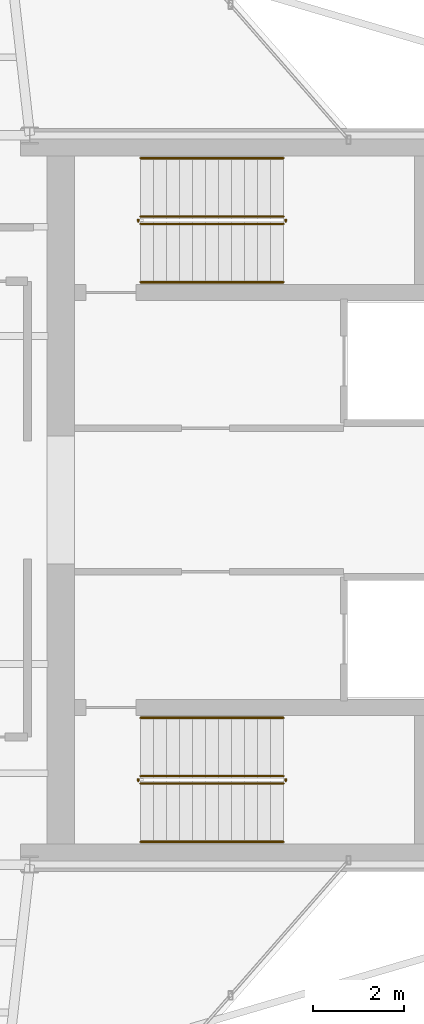
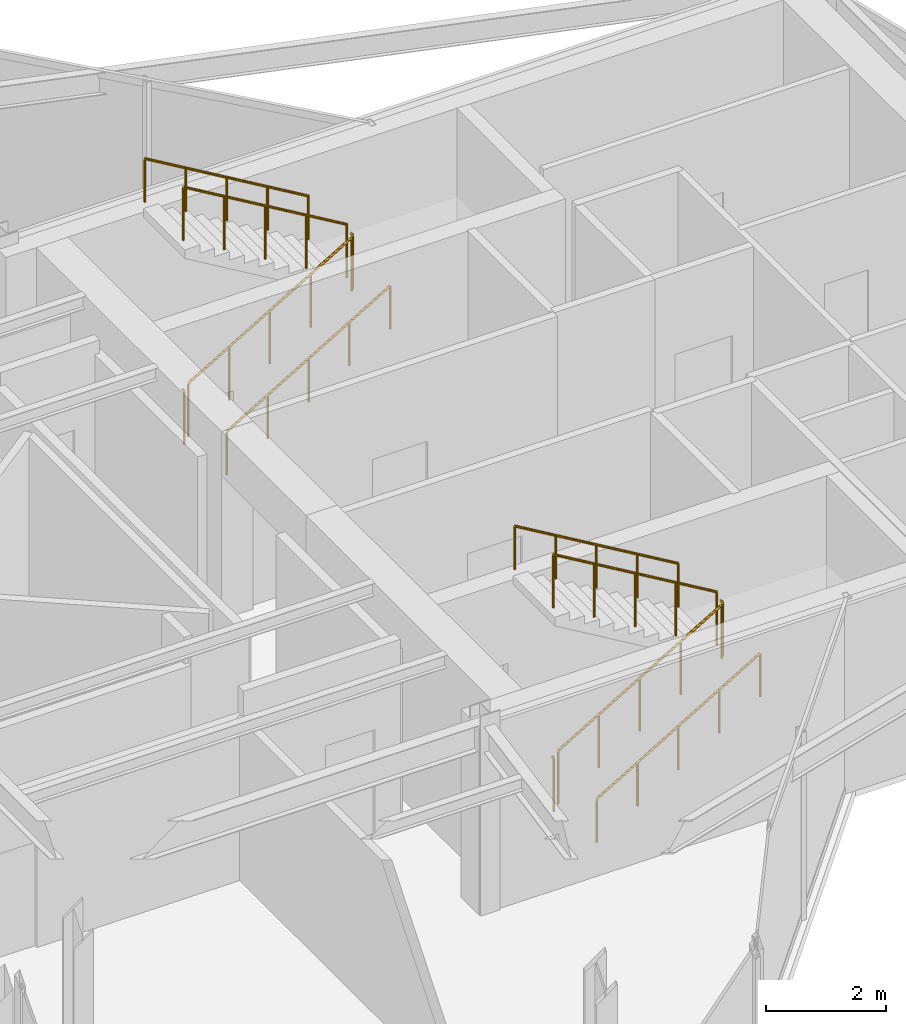
# One storey, part 14 of 14: 12 railings.
"""IFC4 building model written with IfcOpenShell, lengths in metres."""

import ifcopenshell
import ifcopenshell.guid

model = None  # the IFC model being written
_history = None  # IfcOwnerHistory: only IFC2X3 demands one
_inside = {}  # id of a spatial element -> (the spatial element, [elements in it])
_under = {}  # id of a project, library or spatial element -> (it, [spatial elements below it])
_declared = {}  # id of a project -> (the project, [libraries it declares])
_typed = {}  # id of a type object -> (the type object, [elements of that type])
_made_of = {}  # id of a material, layer set ... -> (it, [elements and type objects made of it])


def new_model(schema):
    """Start an empty IFC model of exactly this schema.

    Asked for "IFC4X3", IfcOpenShell would pick the latest addendum, in which some entities
    have other attributes; the version numbers below select the first issue.
    IFC2X3 requires an IfcOwnerHistory on every rooted entity: one is made here for all.
    """
    global model, _history
    if schema == "IFC4X3":
        model = ifcopenshell.file(schema_version=(4, 3, 0, 0))
    else:
        model = ifcopenshell.file(schema=schema)
    _inside.clear()
    _under.clear()
    _declared.clear()
    _typed.clear()
    _made_of.clear()
    _history = None
    if model.schema == "IFC2X3":
        org = make("IfcOrganization", Name="unknown")
        user = make(
            "IfcPersonAndOrganization",
            ThePerson=make("IfcPerson", FamilyName="unknown"),
            TheOrganization=org,
        )
        app = make(
            "IfcApplication",
            ApplicationDeveloper=org,
            Version="unknown",
            ApplicationFullName="unknown",
            ApplicationIdentifier="unknown",
        )
        _history = make(
            "IfcOwnerHistory",
            OwningUser=user,
            OwningApplication=app,
            ChangeAction="ADDED",
            CreationDate=0,
        )
    return model


def make(cls, **values):
    """One entity of the class cls with the attributes given. An attribute that is None is left unset."""
    return model.create_entity(
        cls, **{name: value for name, value in values.items() if value is not None}
    )


def rooted(cls, **values):
    """An entity with a GlobalId (a new one), such as an element, a storey or a relation."""
    return make(cls, GlobalId=ifcopenshell.guid.new(), OwnerHistory=_history, **values)


def si_unit(unit_type, name, prefix=None):
    """IfcSIUnit, for example si_unit("LENGTHUNIT", "METRE", prefix="MILLI")."""
    return make("IfcSIUnit", UnitType=unit_type, Prefix=prefix, Name=name)


def assignment(units):
    """IfcUnitAssignment: the units of a project."""
    return None if units is None else make("IfcUnitAssignment", Units=units)


def point(xyz):
    """IfcCartesianPoint."""
    return None if xyz is None else make("IfcCartesianPoint", Coordinates=xyz)


def direction(xyz):
    """IfcDirection."""
    return None if xyz is None else make("IfcDirection", DirectionRatios=xyz)


def frame(location, z_axis=None, x_axis=None):
    """IfcAxis2Placement3D, a coordinate frame: its origin and axes. An axis left out is left unset."""
    return make(
        "IfcAxis2Placement3D",
        Location=point(location),
        Axis=direction(z_axis),
        RefDirection=direction(x_axis),
    )


def frame_2d(location, x_axis=None):
    """IfcAxis2Placement2D, a coordinate frame in the plane: its origin and x axis."""
    return make(
        "IfcAxis2Placement2D", Location=point(location), RefDirection=direction(x_axis)
    )


def origin():
    """The frame at (0, 0, 0) with its axes left unset."""
    return frame((0.0, 0.0, 0.0))


def origin_2d():
    """The frame at (0, 0) in the plane with its x axis left unset."""
    return frame_2d((0.0, 0.0))


def place(relative_to, where):
    """IfcLocalPlacement: puts the frame where relative to a parent placement (None: the world)."""
    return make(
        "IfcLocalPlacement", PlacementRelTo=relative_to, RelativePlacement=where
    )


def context(
    kind, dimensions, precision=None, world=None, true_north=None, identifier=None
):
    """IfcGeometricRepresentationContext, for example the 3D "Model" context."""
    return make(
        "IfcGeometricRepresentationContext",
        ContextIdentifier=identifier,
        ContextType=kind,
        CoordinateSpaceDimension=dimensions,
        Precision=precision,
        WorldCoordinateSystem=world,
        TrueNorth=true_north,
    )


def subcontext(parent, identifier, kind, view, scale=None):
    """IfcGeometricRepresentationSubContext, for example "Body" below "Model"."""
    return make(
        "IfcGeometricRepresentationSubContext",
        ContextIdentifier=identifier,
        ContextType=kind,
        ParentContext=parent,
        TargetScale=scale,
        TargetView=view,
    )


def project(units=None, contexts=None):
    """IfcProject with its units and contexts."""
    return rooted(
        "IfcProject",
        Name="project",
        RepresentationContexts=contexts,
        UnitsInContext=assignment(units),
    )


def spatial(cls, under=None, at=None, **own):
    """A site, building, storey or space (cls), placed at a placement, below another one or the project."""
    s = rooted(cls, ObjectPlacement=at, **own)
    if under is not None:
        _under.setdefault(under.id(), (under, []))[1].append(s)
    return s


def profile(cls, at=None, kind="AREA", **sizes):
    """A parametric profile (cls). Its sizes go by their IFC names, for example OverallWidth=200.0."""
    return make(cls, ProfileType=kind, Position=at, **sizes)


def circle(**sizes):
    """IfcCircleProfileDef."""
    return profile("IfcCircleProfileDef", **sizes)


def extrude(swept, where, along, depth):
    """IfcExtrudedAreaSolid: the profile swept, set in the frame where, extruded along a direction by depth."""
    return make(
        "IfcExtrudedAreaSolid",
        SweptArea=swept,
        Position=where,
        ExtrudedDirection=direction(along),
        Depth=depth,
    )


def shape(context_of_items, identifier, shape_type, items):
    """IfcShapeRepresentation: the items that make up one representation, for example the "Body"."""
    return make(
        "IfcShapeRepresentation",
        ContextOfItems=context_of_items,
        RepresentationIdentifier=identifier,
        RepresentationType=shape_type,
        Items=items,
    )


def material(Name=None, Category=None):
    """IfcMaterial."""
    return make("IfcMaterial", Name=Name, Category=Category)


def made_of(thing, what):
    """Note that an element or type object is made of a material, layer set ...; save() writes the relation."""
    if what is not None:
        _made_of.setdefault(what.id(), (what, []))[1].append(thing)
    return thing


def type_object(cls, material=None, **own):
    """A type object (cls), such as IfcWallType, which elements share."""
    return made_of(rooted(cls, **own), material)


def element(
    cls,
    number,
    at=None,
    inside=None,
    cuts=None,
    type_object=None,
    material=None,
    context=None,
    identifier="Body",
    shape_type=None,
    held_by="IfcProductDefinitionShape",
    body=None,
    shapes=None,
    **own,
):
    """One element of the class cls, such as IfcWall. Its Tag is "e" and its number.

    at: its placement. inside: the storey or other place that contains it. cuts: it is an
    opening in that element (IfcRelVoidsElement). A single representation is given by context,
    identifier, shape_type and body (its items); several are given by shapes. held_by: the class
    of the entity that holds the representations. save() writes the other relations.
    """
    e = rooted(cls, Tag="e%d" % number, ObjectPlacement=at, **own)
    if body is not None:
        shapes = [shape(context, identifier, shape_type, body)]
    if shapes is not None:
        e.Representation = make(held_by, Representations=shapes)
    if inside is not None:
        _inside.setdefault(inside.id(), (inside, []))[1].append(e)
    if cuts is not None:
        rooted(
            "IfcRelVoidsElement", RelatingBuildingElement=cuts, RelatedOpeningElement=e
        )
    if type_object is not None:
        _typed.setdefault(type_object.id(), (type_object, []))[1].append(e)
    return made_of(e, material)


def aggregate(whole, parts):
    """IfcRelAggregates: a whole, such as a stair, and the parts it consists of."""
    return rooted("IfcRelAggregates", RelatingObject=whole, RelatedObjects=parts)


def save(model, path):
    """Write the relations noted so far, then the file.

    IfcRelAggregates (storeys below a building ...), IfcRelContainedInSpatialStructure (elements
    in a storey), IfcRelDefinesByType, IfcRelAssociatesMaterial and IfcRelDeclares: one each for
    every whole, place, type object, material and project.
    """
    for whole, parts in _under.values():
        aggregate(whole, parts)
    for where, things in _inside.values():
        rooted(
            "IfcRelContainedInSpatialStructure",
            RelatedElements=things,
            RelatingStructure=where,
        )
    for kind, things in _typed.values():
        rooted("IfcRelDefinesByType", RelatedObjects=things, RelatingType=kind)
    for what, things in _made_of.values():
        rooted("IfcRelAssociatesMaterial", RelatedObjects=things, RelatingMaterial=what)
    for by, libraries in _declared.values():
        rooted("IfcRelDeclares", RelatingContext=by, RelatedDefinitions=libraries)
    model.write(path)


model = new_model("IFC4")

# Units and contexts
model_context = context("Model", 3, precision=1e-05, world=origin(), true_north=direction((0.0, 1.0)))
body_context = subcontext(model_context, "Body", "Model", "MODEL_VIEW")
ifc_project = project(units=[si_unit("LENGTHUNIT", "METRE"), si_unit("AREAUNIT", "SQUARE_METRE"), si_unit("VOLUMEUNIT", "CUBIC_METRE"), si_unit("PLANEANGLEUNIT", "RADIAN"), si_unit("MASSUNIT", "GRAM", prefix="KILO")], contexts=[model_context])

# Site, building, storey
site_placement = place(None, origin())
site = spatial("IfcSite", under=ifc_project, at=site_placement, CompositionType="ELEMENT")
building_placement = place(site_placement, origin())
building = spatial("IfcBuilding", under=site, at=building_placement, Name="Veymaron Broadcast Tower", CompositionType="ELEMENT")
storey_placement = place(building_placement, frame((0.0, 0.0, 270.89990234375)))
storey = spatial("IfcBuildingStorey", under=building, at=storey_placement, Name="L63", CompositionType="ELEMENT", Elevation=270.89990234375)

# Railings
ifc_material_1 = material(Name="Brushed stainless steel AISI 304", Category="steel")
railing_type_1 = type_object("IfcRailingType", Name="RAIL-STAIR-HR", PredefinedType="HANDRAIL", material=ifc_material_1)
railing_1_placement = place(storey_placement, frame((41.429931640625, 28.780029296875, 0.1689453125)))
element("IfcRailing", 1, at=railing_1_placement, inside=storey, type_object=railing_type_1, Name="L63 ST1 stair handrail 1", PredefinedType="HANDRAIL", context=body_context, shape_type="SweptSolid", body=[
    extrude(circle(Radius=0.02392578125, at=origin_2d()), frame((0.0, 0.0, 0.8759765625), z_axis=(0.860481960309, 0.0, 0.509480908359), x_axis=(0.0, 1.0, 0.0)), (0.0, 0.0, 1.0), 3.643310546875),
    extrude(circle(Radius=0.02099609375, at=origin_2d()), origin(), (0.0, 0.0, 1.0), 0.851806640625),
    extrude(circle(Radius=0.02099609375, at=origin_2d()), frame((0.78369140625, 0.0, 0.464111328125)), (0.0, 0.0, 1.0), 0.851806640625),
    extrude(circle(Radius=0.02099609375, at=origin_2d()), frame((1.5673828125, 0.0, 0.92822265625)), (0.0, 0.0, 1.0), 0.851806640625),
    extrude(circle(Radius=0.02099609375, at=origin_2d()), frame((2.351318359375, 0.0, 1.39208984375)), (0.0, 0.0, 1.0), 0.851806640625),
    extrude(circle(Radius=0.02099609375, at=origin_2d()), frame((3.135009765625, 0.0, 1.856201171875)), (0.0, 0.0, 1.0), 0.851806640625),
])
railing_2_placement = place(storey_placement, frame((44.56494140625, 31.5, 2.19384765625)))
element("IfcRailing", 2, at=railing_2_placement, inside=storey, type_object=railing_type_1, Name="L63 ST1 stair handrail 2", PredefinedType="HANDRAIL", context=body_context, shape_type="SweptSolid", body=[
    extrude(circle(Radius=0.02392578125, at=origin_2d()), frame((0.0, 0.0, 0.8759765625), z_axis=(-0.860481960309, 0.0, 0.509480908359), x_axis=(0.0, -1.0, 0.0)), (0.0, 0.0, 1.0), 3.643310546875),
    extrude(circle(Radius=0.02099609375, at=origin_2d()), origin(), (0.0, 0.0, 1.0), 0.851806640625),
    extrude(circle(Radius=0.02099609375, at=origin_2d()), frame((-0.78369140625, 0.0, 0.464111328125)), (0.0, 0.0, 1.0), 0.851806640625),
    extrude(circle(Radius=0.02099609375, at=origin_2d()), frame((-1.5673828125, 0.0, 0.92822265625)), (0.0, 0.0, 1.0), 0.851806640625),
    extrude(circle(Radius=0.02099609375, at=origin_2d()), frame((-2.351318359375, 0.0, 1.39208984375)), (0.0, 0.0, 1.0), 0.851806640625),
    extrude(circle(Radius=0.02099609375, at=origin_2d()), frame((-3.135009765625, 0.0, 1.856201171875)), (0.0, 0.0, 1.0), 0.851806640625),
])
railing_3_placement = place(storey_placement, frame((41.429931640625, 16.5, 0.1689453125)))
element("IfcRailing", 3, at=railing_3_placement, inside=storey, type_object=railing_type_1, Name="L63 ST2 stair handrail 1", PredefinedType="HANDRAIL", context=body_context, shape_type="SweptSolid", body=[
    extrude(circle(Radius=0.02392578125, at=origin_2d()), frame((0.0, 0.0, 0.8759765625), z_axis=(0.860481960309, 0.0, 0.509480908359), x_axis=(0.0, 1.0, 0.0)), (0.0, 0.0, 1.0), 3.643310546875),
    extrude(circle(Radius=0.02099609375, at=origin_2d()), origin(), (0.0, 0.0, 1.0), 0.851806640625),
    extrude(circle(Radius=0.02099609375, at=origin_2d()), frame((0.78369140625, 0.0, 0.464111328125)), (0.0, 0.0, 1.0), 0.851806640625),
    extrude(circle(Radius=0.02099609375, at=origin_2d()), frame((1.5673828125, 0.0, 0.92822265625)), (0.0, 0.0, 1.0), 0.851806640625),
    extrude(circle(Radius=0.02099609375, at=origin_2d()), frame((2.351318359375, 0.0, 1.39208984375)), (0.0, 0.0, 1.0), 0.851806640625),
    extrude(circle(Radius=0.02099609375, at=origin_2d()), frame((3.135009765625, 0.0, 1.856201171875)), (0.0, 0.0, 1.0), 0.851806640625),
])
railing_4_placement = place(storey_placement, frame((44.56494140625, 19.219970703125, 2.19384765625)))
element("IfcRailing", 4, at=railing_4_placement, inside=storey, type_object=railing_type_1, Name="L63 ST2 stair handrail 2", PredefinedType="HANDRAIL", context=body_context, shape_type="SweptSolid", body=[
    extrude(circle(Radius=0.02392578125, at=origin_2d()), frame((0.0, 0.0, 0.8759765625), z_axis=(-0.860481960309, 0.0, 0.509480908359), x_axis=(0.0, -1.0, 0.0)), (0.0, 0.0, 1.0), 3.643310546875),
    extrude(circle(Radius=0.02099609375, at=origin_2d()), origin(), (0.0, 0.0, 1.0), 0.851806640625),
    extrude(circle(Radius=0.02099609375, at=origin_2d()), frame((-0.78369140625, 0.0, 0.464111328125)), (0.0, 0.0, 1.0), 0.851806640625),
    extrude(circle(Radius=0.02099609375, at=origin_2d()), frame((-1.5673828125, 0.0, 0.92822265625)), (0.0, 0.0, 1.0), 0.851806640625),
    extrude(circle(Radius=0.02099609375, at=origin_2d()), frame((-2.351318359375, 0.0, 1.39208984375)), (0.0, 0.0, 1.0), 0.851806640625),
    extrude(circle(Radius=0.02099609375, at=origin_2d()), frame((-3.135009765625, 0.0, 1.856201171875)), (0.0, 0.0, 1.0), 0.851806640625),
])
ifc_material_2 = material(Name="Painted galvanized steel balustrade", Category="steel")
railing_type_2 = type_object("IfcRailingType", Name="RAIL-WELL-GRD", PredefinedType="GUARDRAIL", material=ifc_material_2)
railing_5_placement = place(storey_placement, frame((41.429931640625, 30.06005859375, 0.1689453125)))
element("IfcRailing", 5, at=railing_5_placement, inside=storey, type_object=railing_type_2, Name="L63 ST1 stair guard 1", PredefinedType="GUARDRAIL", context=body_context, shape_type="SweptSolid", body=[
    extrude(circle(Radius=0.02392578125, at=origin_2d()), frame((0.0, 0.0, 1.076171875), z_axis=(0.860481960309, 0.0, 0.509480908359), x_axis=(0.0, 1.0, 0.0)), (0.0, 0.0, 1.0), 3.643310546875),
    extrude(circle(Radius=0.02099609375, at=origin_2d()), origin(), (0.0, 0.0, 1.0), 1.052001953125),
    extrude(circle(Radius=0.02099609375, at=origin_2d()), frame((0.78369140625, 0.0, 0.464111328125)), (0.0, 0.0, 1.0), 1.052001953125),
    extrude(circle(Radius=0.02099609375, at=origin_2d()), frame((1.5673828125, 0.0, 0.92822265625)), (0.0, 0.0, 1.0), 1.052001953125),
    extrude(circle(Radius=0.02099609375, at=origin_2d()), frame((2.351318359375, 0.0, 1.39208984375)), (0.0, 0.0, 1.0), 1.052001953125),
    extrude(circle(Radius=0.02099609375, at=origin_2d()), frame((3.135009765625, 0.0, 1.856201171875)), (0.0, 0.0, 1.0), 1.052001953125),
])
railing_6_placement = place(storey_placement, frame((44.614990234375, 30.110107421875, 2.025146484375)))
element("IfcRailing", 6, at=railing_6_placement, inside=storey, type_object=railing_type_2, Name="L63 ST1 stair guard 2", PredefinedType="GUARDRAIL", context=body_context, shape_type="SweptSolid", body=[
    extrude(circle(Radius=0.02392578125, at=origin_2d()), frame((0.0, 0.0, 1.076171875), z_axis=(0.0, 1.0, 0.0), x_axis=(-1.0, 0.0, 0.0)), (0.0, 0.0, 1.0), 0.059814453125),
    extrude(circle(Radius=0.02099609375, at=origin_2d()), origin(), (0.0, 0.0, 1.0), 1.052001953125),
])
railing_7_placement = place(storey_placement, frame((44.56494140625, 30.219970703125, 2.19384765625)))
element("IfcRailing", 7, at=railing_7_placement, inside=storey, type_object=railing_type_2, Name="L63 ST1 stair guard 3", PredefinedType="GUARDRAIL", context=body_context, shape_type="SweptSolid", body=[
    extrude(circle(Radius=0.02392578125, at=origin_2d()), frame((0.0, 0.0, 1.076171875), z_axis=(-0.860481960309, 0.0, 0.509480908359), x_axis=(0.0, -1.0, 0.0)), (0.0, 0.0, 1.0), 3.643310546875),
    extrude(circle(Radius=0.02099609375, at=origin_2d()), origin(), (0.0, 0.0, 1.0), 1.052001953125),
    extrude(circle(Radius=0.02099609375, at=origin_2d()), frame((-0.78369140625, 0.0, 0.464111328125)), (0.0, 0.0, 1.0), 1.052001953125),
    extrude(circle(Radius=0.02099609375, at=origin_2d()), frame((-1.5673828125, 0.0, 0.92822265625)), (0.0, 0.0, 1.0), 1.052001953125),
    extrude(circle(Radius=0.02099609375, at=origin_2d()), frame((-2.351318359375, 0.0, 1.39208984375)), (0.0, 0.0, 1.0), 1.052001953125),
    extrude(circle(Radius=0.02099609375, at=origin_2d()), frame((-3.135009765625, 0.0, 1.856201171875)), (0.0, 0.0, 1.0), 1.052001953125),
])
railing_8_placement = place(storey_placement, frame((41.3798828125, 30.110107421875, 0.0)))
element("IfcRailing", 8, at=railing_8_placement, inside=storey, type_object=railing_type_2, Name="L63 ST1 stair guard 4", PredefinedType="GUARDRAIL", context=body_context, shape_type="SweptSolid", body=[
    extrude(circle(Radius=0.02392578125, at=origin_2d()), frame((0.0, 0.0, 1.076171875), z_axis=(0.0, 1.0, 0.0), x_axis=(-1.0, 0.0, 0.0)), (0.0, 0.0, 1.0), 0.059814453125),
    extrude(circle(Radius=0.02099609375, at=origin_2d()), origin(), (0.0, 0.0, 1.0), 1.052001953125),
])
railing_9_placement = place(storey_placement, frame((41.429931640625, 17.780029296875, 0.1689453125)))
element("IfcRailing", 9, at=railing_9_placement, inside=storey, type_object=railing_type_2, Name="L63 ST2 stair guard 1", PredefinedType="GUARDRAIL", context=body_context, shape_type="SweptSolid", body=[
    extrude(circle(Radius=0.02392578125, at=origin_2d()), frame((0.0, 0.0, 1.076171875), z_axis=(0.860481960309, 0.0, 0.509480908359), x_axis=(0.0, 1.0, 0.0)), (0.0, 0.0, 1.0), 3.643310546875),
    extrude(circle(Radius=0.02099609375, at=origin_2d()), origin(), (0.0, 0.0, 1.0), 1.052001953125),
    extrude(circle(Radius=0.02099609375, at=origin_2d()), frame((0.78369140625, 0.0, 0.464111328125)), (0.0, 0.0, 1.0), 1.052001953125),
    extrude(circle(Radius=0.02099609375, at=origin_2d()), frame((1.5673828125, 0.0, 0.92822265625)), (0.0, 0.0, 1.0), 1.052001953125),
    extrude(circle(Radius=0.02099609375, at=origin_2d()), frame((2.351318359375, 0.0, 1.39208984375)), (0.0, 0.0, 1.0), 1.052001953125),
    extrude(circle(Radius=0.02099609375, at=origin_2d()), frame((3.135009765625, 0.0, 1.856201171875)), (0.0, 0.0, 1.0), 1.052001953125),
])
railing_10_placement = place(storey_placement, frame((44.614990234375, 17.830078125, 2.025146484375)))
element("IfcRailing", 10, at=railing_10_placement, inside=storey, type_object=railing_type_2, Name="L63 ST2 stair guard 2", PredefinedType="GUARDRAIL", context=body_context, shape_type="SweptSolid", body=[
    extrude(circle(Radius=0.02392578125, at=origin_2d()), frame((0.0, 0.0, 1.076171875), z_axis=(0.0, 1.0, 0.0), x_axis=(-1.0, 0.0, 0.0)), (0.0, 0.0, 1.0), 0.059814453125),
    extrude(circle(Radius=0.02099609375, at=origin_2d()), origin(), (0.0, 0.0, 1.0), 1.052001953125),
])
railing_11_placement = place(storey_placement, frame((44.56494140625, 17.93994140625, 2.19384765625)))
element("IfcRailing", 11, at=railing_11_placement, inside=storey, type_object=railing_type_2, Name="L63 ST2 stair guard 3", PredefinedType="GUARDRAIL", context=body_context, shape_type="SweptSolid", body=[
    extrude(circle(Radius=0.02392578125, at=origin_2d()), frame((0.0, 0.0, 1.076171875), z_axis=(-0.860481960309, 0.0, 0.509480908359), x_axis=(0.0, -1.0, 0.0)), (0.0, 0.0, 1.0), 3.643310546875),
    extrude(circle(Radius=0.02099609375, at=origin_2d()), origin(), (0.0, 0.0, 1.0), 1.052001953125),
    extrude(circle(Radius=0.02099609375, at=origin_2d()), frame((-0.78369140625, 0.0, 0.464111328125)), (0.0, 0.0, 1.0), 1.052001953125),
    extrude(circle(Radius=0.02099609375, at=origin_2d()), frame((-1.5673828125, 0.0, 0.92822265625)), (0.0, 0.0, 1.0), 1.052001953125),
    extrude(circle(Radius=0.02099609375, at=origin_2d()), frame((-2.351318359375, 0.0, 1.39208984375)), (0.0, 0.0, 1.0), 1.052001953125),
    extrude(circle(Radius=0.02099609375, at=origin_2d()), frame((-3.135009765625, 0.0, 1.856201171875)), (0.0, 0.0, 1.0), 1.052001953125),
])
railing_12_placement = place(storey_placement, frame((41.3798828125, 17.830078125, 0.0)))
element("IfcRailing", 12, at=railing_12_placement, inside=storey, type_object=railing_type_2, Name="L63 ST2 stair guard 4", PredefinedType="GUARDRAIL", context=body_context, shape_type="SweptSolid", body=[
    extrude(circle(Radius=0.02392578125, at=origin_2d()), frame((0.0, 0.0, 1.076171875), z_axis=(0.0, 1.0, 0.0), x_axis=(-1.0, 0.0, 0.0)), (0.0, 0.0, 1.0), 0.059814453125),
    extrude(circle(Radius=0.02099609375, at=origin_2d()), origin(), (0.0, 0.0, 1.0), 1.052001953125),
])

save(model, "model.ifc")
